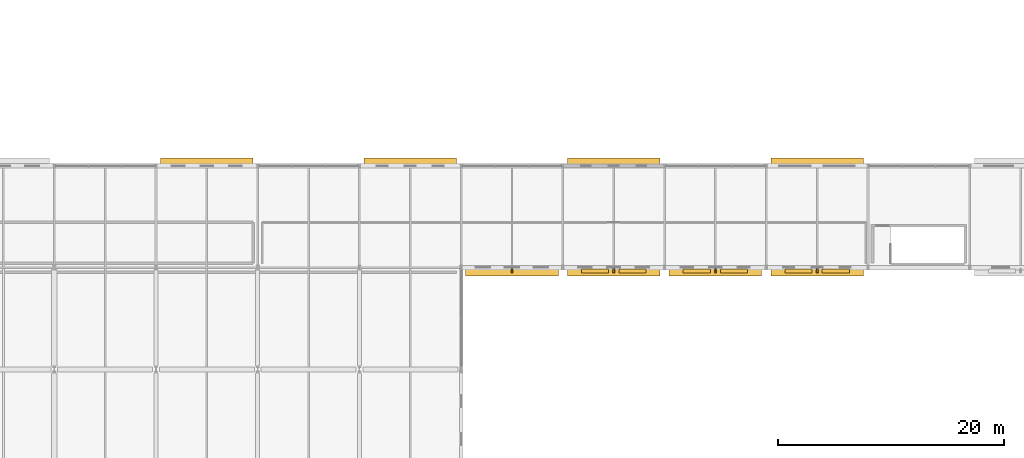
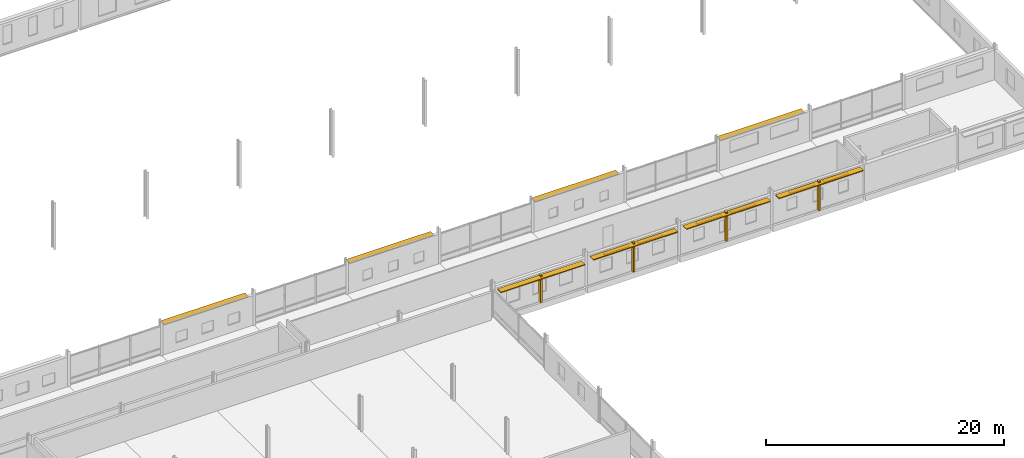
# One storey, part 125 of 132: 18 shading devices.
"""IFC4 building model written with IfcOpenShell, lengths in metres."""

from ifc_helpers import new_model, si_unit, direction, frame, origin, origin_2d, place, context, subcontext, project, spatial, rectangle, extrude, material, layer, layer_set, type_object, element, save


model = new_model("IFC4")

# Units and contexts
model_context = context("Model", 3, precision=1e-05, world=origin(), true_north=direction((0.0, 1.0)))
body_context = subcontext(model_context, "Body", "Model", "MODEL_VIEW")
ifc_project = project(units=[si_unit("LENGTHUNIT", "METRE"), si_unit("AREAUNIT", "SQUARE_METRE"), si_unit("VOLUMEUNIT", "CUBIC_METRE"), si_unit("PLANEANGLEUNIT", "RADIAN"), si_unit("MASSUNIT", "GRAM", prefix="KILO")], contexts=[model_context])

# Site, building, storey
site_placement = place(None, origin())
site = spatial("IfcSite", under=ifc_project, at=site_placement, CompositionType="ELEMENT")
building_placement = place(site_placement, origin())
building = spatial("IfcBuilding", under=site, at=building_placement, Name="Tharagai Park Tramway Depot", CompositionType="ELEMENT")
storey_placement = place(building_placement, frame((0.0, 0.0, 4.800048828125)))
storey = spatial("IfcBuildingStorey", under=building, at=storey_placement, Name="L01", CompositionType="ELEMENT", Elevation=4.800048828125)

# Shading devices
ifc_material_1 = material(Name="Anodised aluminium", Category="aluminium")
ifc_layer_1 = layer(ifc_material_1, 0.090087890625)
ifc_layer_set_1 = layer_set([ifc_layer_1], Name="Anodised aluminium")
shading_device_type_1 = type_object("IfcShadingDeviceType", Name="SD-01", PredefinedType="SHUTTER", material=ifc_layer_set_1)
for number, where, z_axis, x_axis, name in (
    (1, (94.5, 89.570068359375, 2.61669921875), (0.0, 0.0, 1.0), (1.0, 0.0, 0.0), "Monsoon Storm Louvre Hood SD-01 #16"),
    (2, (103.5, 89.570068359375, 2.81689453125), (0.0, 0.0, 1.0), (1.0, 0.0, 0.0), "Monsoon Storm Louvre Hood SD-01 #17"),
    (3, (112.5, 89.570068359375, 2.81689453125), (0.0, 0.0, 1.0), (1.0, 0.0, 0.0), "Monsoon Storm Louvre Hood SD-01 #18"),
    (4, (121.5, 89.570068359375, 2.81689453125), (0.0, 0.0, 1.0), (1.0, 0.0, 0.0), "Monsoon Storm Louvre Hood SD-01 #19"),
    (5, (67.5, 99.429931640625, 2.81689453125), (0.0, 0.0, 1.0), (1.0, 0.0, 0.0), "Monsoon Storm Louvre Hood SD-01 #24"),
    (6, (85.5, 99.429931640625, 2.81689453125), (0.0, 0.0, 1.0), (1.0, 0.0, 0.0), "Monsoon Storm Louvre Hood SD-01 #25"),
    (7, (103.5, 99.429931640625, 2.81689453125), (0.0, 0.0, 1.0), (1.0, 0.0, 0.0), "Monsoon Storm Louvre Hood SD-01 #26"),
    (8, (121.5, 99.429931640625, 2.81689453125), (0.0, 0.0, 1.0), (1.0, 0.0, 0.0), "Monsoon Storm Louvre Hood SD-01 #27"),
):
    element("IfcShadingDevice", number, at=place(storey_placement, frame(where, z_axis=z_axis, x_axis=x_axis)), inside=storey, type_object=shading_device_type_1, Name=name, PredefinedType="SHUTTER", context=body_context, shape_type="SweptSolid", body=[
        extrude(rectangle(XDim=8.19189453125, YDim=0.580078125, at=origin_2d()), origin(), (0.0, 0.0, 1.0), 0.090087890625),
    ])
ifc_material_2 = material(Name="Charnockite stone", Category="masonry")
ifc_layer_2 = layer(ifc_material_2, 0.159912109375)
ifc_layer_set_2 = layer_set([ifc_layer_2], Name="Charnockite stone")
shading_device_type_2 = type_object("IfcShadingDeviceType", Name="SD-02", PredefinedType="JALOUSIE", material=ifc_layer_set_2)
shading_device_placement = place(storey_placement, frame((94.5, 89.7099609375, 0.02978515625), z_axis=(0.0, 0.0, 1.0), x_axis=(1.0, 0.0, 0.0)))
element("IfcShadingDevice", 9, at=shading_device_placement, inside=storey, type_object=shading_device_type_2, Name="Charnockite Gothic Lancet Mullion Fin SD-02 #11", PredefinedType="JALOUSIE", context=body_context, shape_type="SweptSolid", body=[
    extrude(rectangle(XDim=0.159912109375, YDim=0.360107421875, at=origin_2d()), origin(), (0.0, 0.0, 1.0), 2.781982421875),
])
for number, where, z_axis, x_axis, name in (
    (10, (103.5, 89.7099609375, 0.030029296875), (0.0, 0.0, 1.0), (1.0, 0.0, 0.0), "Charnockite Gothic Lancet Mullion Fin SD-02 #12"),
    (11, (112.5, 89.7099609375, 0.030029296875), (0.0, 0.0, 1.0), (1.0, 0.0, 0.0), "Charnockite Gothic Lancet Mullion Fin SD-02 #13"),
    (12, (121.5, 89.7099609375, 0.030029296875), (0.0, 0.0, 1.0), (1.0, 0.0, 0.0), "Charnockite Gothic Lancet Mullion Fin SD-02 #14"),
):
    element("IfcShadingDevice", number, at=place(storey_placement, frame(where, z_axis=z_axis, x_axis=x_axis)), inside=storey, type_object=shading_device_type_2, Name=name, PredefinedType="JALOUSIE", context=body_context, shape_type="SweptSolid", body=[
        extrude(rectangle(XDim=0.159912109375, YDim=0.360107421875, at=origin_2d()), origin(), (0.0, 0.0, 1.0), 2.98193359375),
    ])
ifc_layer_3 = layer(ifc_material_2, 0.139892578125)
ifc_layer_set_3 = layer_set([ifc_layer_3], Name="Charnockite stone")
shading_device_type_3 = type_object("IfcShadingDeviceType", Name="SD-03", PredefinedType="AWNING", material=ifc_layer_set_3)
for number, where, z_axis, x_axis, name in (
    (13, (101.85009765625, 89.7099609375, 2.69189453125), (0.0, 0.0, 1.0), (1.0, 0.0, 0.0), "Charnockite Gothic Window Hood Drip Moulding SD-03 #1-1"),
    (14, (105.14990234375, 89.7099609375, 2.69189453125), (0.0, 0.0, 1.0), (1.0, 0.0, 0.0), "Charnockite Gothic Window Hood Drip Moulding SD-03 #1-2"),
    (15, (110.85009765625, 89.7099609375, 2.69189453125), (0.0, 0.0, 1.0), (1.0, 0.0, 0.0), "Charnockite Gothic Window Hood Drip Moulding SD-03 #2-1"),
    (16, (114.14990234375, 89.7099609375, 2.69189453125), (0.0, 0.0, 1.0), (1.0, 0.0, 0.0), "Charnockite Gothic Window Hood Drip Moulding SD-03 #2-2"),
    (17, (119.85009765625, 89.7099609375, 2.69189453125), (0.0, 0.0, 1.0), (1.0, 0.0, 0.0), "Charnockite Gothic Window Hood Drip Moulding SD-03 #3-1"),
    (18, (123.14990234375, 89.7099609375, 2.69189453125), (0.0, 0.0, 1.0), (1.0, 0.0, 0.0), "Charnockite Gothic Window Hood Drip Moulding SD-03 #3-2"),
):
    element("IfcShadingDevice", number, at=place(storey_placement, frame(where, z_axis=z_axis, x_axis=x_axis)), inside=storey, type_object=shading_device_type_3, Name=name, PredefinedType="AWNING", context=body_context, shape_type="SweptSolid", body=[
        extrude(rectangle(XDim=2.39990234375, YDim=0.360107421875, at=origin_2d()), origin(), (0.0, 0.0, 1.0), 0.139892578125),
    ])

save(model, "model.ifc")
